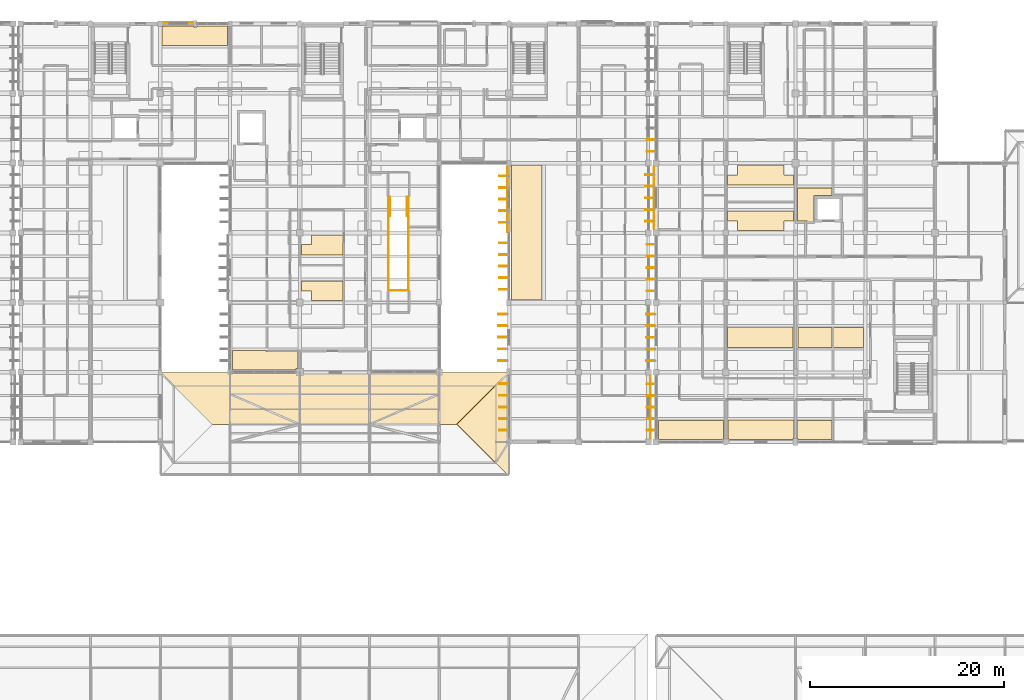
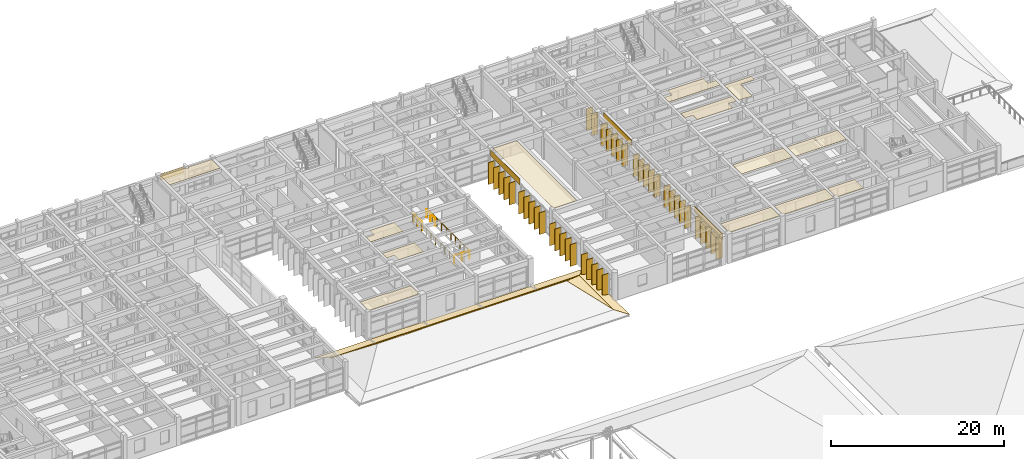
# One storey, part 95 of 100: 42 shading devices, 22 coverings, 5 railings.
"""IFC4 building model written with IfcOpenShell, lengths in metres."""

from ifc_helpers import new_model, si_unit, direction, frame, origin, origin_2d, place, context, subcontext, project, spatial, polyline, rectangle, circle, outline, extrude, material, layer, layer_set, material_profile, profile_set, type_object, element, save


model = new_model("IFC4")

# Units and contexts
model_context = context("Model", 3, precision=1e-05, world=origin(), true_north=direction((0.0, 1.0)))
body_context = subcontext(model_context, "Body", "Model", "MODEL_VIEW")
ifc_project = project(units=[si_unit("LENGTHUNIT", "METRE"), si_unit("AREAUNIT", "SQUARE_METRE"), si_unit("VOLUMEUNIT", "CUBIC_METRE"), si_unit("PLANEANGLEUNIT", "RADIAN"), si_unit("MASSUNIT", "GRAM", prefix="KILO")], contexts=[model_context])

# Site, building, storey
site_placement = place(None, origin())
site = spatial("IfcSite", under=ifc_project, at=site_placement, CompositionType="ELEMENT")
building_placement = place(site_placement, origin())
building = spatial("IfcBuilding", under=site, at=building_placement, Name="Steenspoor Specialist Clinic", CompositionType="ELEMENT")
storey_placement = place(building_placement, frame((0.0, 0.0, 9.0)))
storey = spatial("IfcBuildingStorey", under=building, at=storey_placement, Name="L02", CompositionType="ELEMENT", Elevation=9.0)

# Coverings
ifc_material_1 = material(Name="Washable acoustic mineral ceiling board", Category="gypsum")
ifc_layer_1 = layer(ifc_material_1, 0.02490234375)
ifc_layer_set_1 = layer_set([ifc_layer_1], Name="Washable acoustic mineral ceiling board")
covering_type_1 = type_object("IfcCoveringType", Name="COV-CEIL-ACOUSTIC", PredefinedType="CEILING", material=ifc_layer_set_1)
covering_1_placement = place(storey_placement, frame((0.0, 0.0, 3.925048828125)))
element("IfcCovering", 1, at=covering_1_placement, inside=storey, type_object=covering_type_1, Name="Acoustic Clinical Ceiling 137", PredefinedType="CEILING", context=body_context, shape_type="SweptSolid", body=[
    extrude(outline(polyline([(103.06005859375, 93.7548828125), (106.205078125, 93.7548828125), (106.205078125, 79.794921875), (103.06005859375, 79.794921875), (103.06005859375, 93.7548828125)])), origin(), (0.0, 0.0, 1.0), 0.02490234375),
])
covering_2_placement = place(storey_placement, frame((0.0, 0.0, 3.925048828125)))
element("IfcCovering", 2, at=covering_2_placement, inside=storey, type_object=covering_type_1, Name="Acoustic Clinical Ceiling 139", PredefinedType="CEILING", context=body_context, shape_type="SweptSolid", body=[
    extrude(outline(polyline([(74.260009765625, 74.60009765625), (77.735107421875, 74.60009765625), (77.735107421875, 74.485107421875), (81.0048828125, 74.485107421875), (81.0048828125, 72.739990234375), (80.81005859375, 72.739990234375), (80.81005859375, 72.610107421875), (74.264892578125, 72.610107421875), (74.264892578125, 72.614990234375), (74.260009765625, 72.614990234375), (74.260009765625, 74.60009765625)])), origin(), (0.0, 0.0, 1.0), 0.02490234375),
])
covering_3_placement = place(storey_placement, frame((0.0, 0.0, 3.925048828125)))
element("IfcCovering", 3, at=covering_3_placement, inside=storey, type_object=covering_type_1, Name="Acoustic Clinical Ceiling 140", PredefinedType="CEILING", context=body_context, shape_type="SweptSolid", body=[
    extrude(outline(polyline([(85.68505859375, 79.7451171875), (82.419921875, 79.7451171875), (82.419921875, 80.77001953125), (81.3701171875, 80.77001953125), (81.3701171875, 81.800048828125), (85.68505859375, 81.800048828125), (85.68505859375, 79.7451171875)])), origin(), (0.0, 0.0, 1.0), 0.02490234375),
])
covering_4_placement = place(storey_placement, frame((0.0, 0.0, 3.925048828125)))
element("IfcCovering", 4, at=covering_4_placement, inside=storey, type_object=covering_type_1, Name="Acoustic Clinical Ceiling 141", PredefinedType="CEILING", context=body_context, shape_type="SweptSolid", body=[
    extrude(outline(polyline([(85.68505859375, 84.489990234375), (81.3701171875, 84.489990234375), (81.3701171875, 85.530029296875), (82.419921875, 85.530029296875), (82.419921875, 86.530029296875), (85.68505859375, 86.530029296875), (85.68505859375, 84.489990234375)])), origin(), (0.0, 0.0, 1.0), 0.02490234375),
])
covering_5_placement = place(storey_placement, frame((0.0, 0.0, 3.925048828125)))
element("IfcCovering", 5, at=covering_5_placement, inside=storey, type_object=covering_type_1, Name="Acoustic Clinical Ceiling 142", PredefinedType="CEILING", context=body_context, shape_type="SweptSolid", body=[
    extrude(outline(polyline([(70.215087890625, 108.090087890625), (70.215087890625, 107.9951171875), (70.5849609375, 107.9951171875), (70.5849609375, 108.090087890625), (73.760009765625, 108.090087890625), (73.760009765625, 108.054931640625), (73.7548828125, 108.054931640625), (73.7548828125, 106.10009765625), (66.9951171875, 106.10009765625), (66.9951171875, 108.034912109375), (67.114990234375, 108.034912109375), (67.114990234375, 108.090087890625), (70.215087890625, 108.090087890625)])), origin(), (0.0, 0.0, 1.0), 0.02490234375),
])
covering_6_placement = place(storey_placement, frame((0.0, 0.0, 3.925048828125)))
element("IfcCovering", 6, at=covering_6_placement, inside=storey, type_object=covering_type_1, Name="Acoustic Clinical Ceiling 154", PredefinedType="CEILING", context=body_context, shape_type="SweptSolid", body=[
    extrude(outline(polyline([(118.260009765625, 67.39990234375), (124.97998046875, 67.39990234375), (124.97998046875, 65.489990234375), (124.860107421875, 65.489990234375), (124.860107421875, 65.409912109375), (118.31494140625, 65.409912109375), (118.31494140625, 65.465087890625), (118.260009765625, 65.465087890625), (118.260009765625, 67.39990234375)])), origin(), (0.0, 0.0, 1.0), 0.02490234375),
])
covering_7_placement = place(storey_placement, frame((0.0, 0.0, 3.925048828125)))
element("IfcCovering", 7, at=covering_7_placement, inside=storey, type_object=covering_type_1, Name="Acoustic Clinical Ceiling 155", PredefinedType="CEILING", context=body_context, shape_type="SweptSolid", body=[
    extrude(outline(polyline([(125.5400390625, 65.409912109375), (125.5400390625, 65.489990234375), (125.419921875, 65.489990234375), (125.419921875, 67.409912109375), (132.22998046875, 67.409912109375), (132.22998046875, 65.514892578125), (132.135009765625, 65.514892578125), (132.135009765625, 65.409912109375), (125.5400390625, 65.409912109375)])), origin(), (0.0, 0.0, 1.0), 0.02490234375),
])
covering_8_placement = place(storey_placement, frame((0.0, 0.0, 3.925048828125)))
element("IfcCovering", 8, at=covering_8_placement, inside=storey, type_object=covering_type_1, Name="Acoustic Clinical Ceiling 156", PredefinedType="CEILING", context=body_context, shape_type="SweptSolid", body=[
    extrude(outline(polyline([(136.18505859375, 65.409912109375), (132.6650390625, 65.409912109375), (132.6650390625, 65.514892578125), (132.570068359375, 65.514892578125), (132.570068359375, 67.39990234375), (136.18505859375, 67.39990234375), (136.18505859375, 65.409912109375)])), origin(), (0.0, 0.0, 1.0), 0.02490234375),
])
covering_9_placement = place(storey_placement, frame((0.0, 0.0, 3.925048828125)))
element("IfcCovering", 9, at=covering_9_placement, inside=storey, type_object=covering_type_1, Name="Acoustic Clinical Ceiling 157", PredefinedType="CEILING", context=body_context, shape_type="SweptSolid", body=[
    extrude(outline(polyline([(125.39501953125, 77.010009765625), (132.155029296875, 77.010009765625), (132.155029296875, 74.89990234375), (125.39501953125, 74.89990234375), (125.39501953125, 77.010009765625)])), origin(), (0.0, 0.0, 1.0), 0.02490234375),
])
covering_10_placement = place(storey_placement, frame((0.0, 0.0, 3.925048828125)))
element("IfcCovering", 10, at=covering_10_placement, inside=storey, type_object=covering_type_1, Name="Acoustic Clinical Ceiling 158", PredefinedType="CEILING", context=body_context, shape_type="SweptSolid", body=[
    extrude(outline(polyline([(136.18505859375, 74.889892578125), (132.64501953125, 74.889892578125), (132.64501953125, 77.0), (136.18505859375, 77.0), (136.18505859375, 74.889892578125)])), origin(), (0.0, 0.0, 1.0), 0.02490234375),
])
covering_11_placement = place(storey_placement, frame((0.0, 0.0, 3.925048828125)))
element("IfcCovering", 11, at=covering_11_placement, inside=storey, type_object=covering_type_1, Name="Acoustic Clinical Ceiling 159", PredefinedType="CEILING", context=body_context, shape_type="SweptSolid", body=[
    extrude(outline(polyline([(136.31494140625, 77.0), (139.405029296875, 77.0), (139.405029296875, 74.889892578125), (136.31494140625, 74.889892578125), (136.31494140625, 77.0)])), origin(), (0.0, 0.0, 1.0), 0.02490234375),
])
covering_12_placement = place(storey_placement, frame((0.0, 0.0, 3.925048828125)))
element("IfcCovering", 12, at=covering_12_placement, inside=storey, type_object=covering_type_1, Name="Acoustic Clinical Ceiling 160", PredefinedType="CEILING", context=body_context, shape_type="SweptSolid", body=[
    extrude(outline(polyline([(132.205078125, 87.969970703125), (131.179931640625, 87.969970703125), (131.179931640625, 86.969970703125), (126.419921875, 86.969970703125), (126.419921875, 87.969970703125), (125.3701171875, 87.969970703125), (125.3701171875, 89.0), (132.205078125, 89.0), (132.205078125, 87.969970703125)])), origin(), (0.0, 0.0, 1.0), 0.02490234375),
])
covering_13_placement = place(storey_placement, frame((0.0, 0.0, 3.925048828125)))
element("IfcCovering", 13, at=covering_13_placement, inside=storey, type_object=covering_type_1, Name="Acoustic Clinical Ceiling 162", PredefinedType="CEILING", context=body_context, shape_type="SweptSolid", body=[
    extrude(outline(polyline([(134.31005859375, 90.614990234375), (134.31005859375, 87.9150390625), (133.6201171875, 87.9150390625), (133.6201171875, 87.969970703125), (132.594970703125, 87.969970703125), (132.594970703125, 91.39990234375), (136.18505859375, 91.39990234375), (136.18505859375, 90.614990234375), (134.31005859375, 90.614990234375)])), origin(), (0.0, 0.0, 1.0), 0.02490234375),
])
covering_14_placement = place(storey_placement, frame((0.0, 0.0, 3.925048828125)))
element("IfcCovering", 14, at=covering_14_placement, inside=storey, type_object=covering_type_1, Name="Acoustic Clinical Ceiling 163", PredefinedType="CEILING", context=body_context, shape_type="SweptSolid", body=[
    extrude(outline(polyline([(126.419921875, 93.780029296875), (131.179931640625, 93.780029296875), (131.179931640625, 92.72998046875), (132.205078125, 92.72998046875), (132.205078125, 91.68994140625), (125.3701171875, 91.68994140625), (125.3701171875, 92.72998046875), (126.419921875, 92.72998046875), (126.419921875, 93.780029296875)])), origin(), (0.0, 0.0, 1.0), 0.02490234375),
])
ifc_material_2 = material(Name="Glazed ceramic relief spandrel cladding", Category="masonry")
ifc_layer_2 = layer(ifc_material_2, 0.034912109375)
ifc_layer_set_2 = layer_set([ifc_layer_2], Name="Glazed ceramic relief spandrel cladding")
covering_type_2 = type_object("IfcCoveringType", Name="COV-CLAD-CERAMIC", PredefinedType="CLADDING", material=ifc_layer_set_2)
covering_15_placement = place(storey_placement, frame((68.6650390625, 108.489990234375, 3.11474609375), z_axis=(0.0, 0.0, 1.0), x_axis=(1.0, 0.0, 0.0)))
element("IfcCovering", 15, at=covering_15_placement, inside=storey, type_object=covering_type_2, Name="Spandrel Cladding 41", PredefinedType="CLADDING", context=body_context, shape_type="SweptSolid", body=[
    extrude(rectangle(XDim=3.010009765625, YDim=0.0400390625, at=origin_2d()), origin(), (0.0, 0.0, 1.0), 0.840087890625),
])
covering_16_placement = place(storey_placement, frame((117.429931640625, 68.75, 3.11474609375), z_axis=(0.0, 0.0, 1.0), x_axis=(0.0, -1.0, 0.0)))
element("IfcCovering", 16, at=covering_16_placement, inside=storey, type_object=covering_type_2, Name="Spandrel Cladding 44", PredefinedType="CLADDING", context=body_context, shape_type="SweptSolid", body=[
    extrude(rectangle(XDim=6.47998046875, YDim=0.0400390625, at=origin_2d()), origin(), (0.0, 0.0, 1.0), 0.840087890625),
])
covering_17_placement = place(storey_placement, frame((102.659912109375, 90.21875, 3.11474609375), z_axis=(0.0, 0.0, 1.0), x_axis=(0.0, 1.0, 0.0)))
element("IfcCovering", 17, at=covering_17_placement, inside=storey, type_object=covering_type_2, Name="Spandrel Cladding 45", PredefinedType="CLADDING", context=body_context, shape_type="SweptSolid", body=[
    extrude(rectangle(XDim=6.79248046875, YDim=0.0400390625, at=origin_2d()), origin(), (0.0, 0.0, 1.0), 0.840087890625),
])
covering_18_placement = place(storey_placement, frame((117.77001953125, 90.35009765625, 3.11474609375), z_axis=(0.0, 0.0, 1.0), x_axis=(0.0, 1.0, 0.0)))
element("IfcCovering", 18, at=covering_18_placement, inside=storey, type_object=covering_type_2, Name="Spandrel Cladding 90", PredefinedType="CLADDING", context=body_context, shape_type="SweptSolid", body=[
    extrude(rectangle(XDim=6.47998046875, YDim=0.0400390625, at=origin_2d()), origin(), (0.0, 0.0, 1.0), 0.840087890625),
])
ifc_material_3 = material(Name="Extruded terracotta clay roof tile", Category="masonry")
ifc_layer_3 = layer(ifc_material_3, 0.044921875)
ifc_layer_set_3 = layer_set([ifc_layer_3], Name="Extruded terracotta clay roof tile")
covering_type_3 = type_object("IfcCoveringType", Name="COV-ROOF-TILE", PredefinedType="ROOFING", material=ifc_layer_set_3)
covering_19_placement = place(storey_placement, frame((102.77001953125, 72.320068359375, 0.048095703125), z_axis=(0.0, 0.241792402976, 0.970328003235), x_axis=(-1.0, 0.0, 0.0)))
element("IfcCovering", 19, at=covering_19_placement, inside=storey, type_object=covering_type_3, Name="Clay Tile Roofing V4T1 SKN", PredefinedType="ROOFING", context=body_context, shape_type="SweptSolid", body=[
    extrude(outline(polyline([(0.0, 0.0), (35.93994140625, 0.0), (34.590087890625, 1.3913827610335756), (1.35009765625, 1.3913827610335756), (0.0, 0.0)])), origin(), (0.0, 0.0, -1.0), 0.044921875),
])
covering_20_placement = place(storey_placement, frame((102.77001953125, 61.64990234375, 0.048095703125), z_axis=(0.241792402976, 0.0, 0.970328003235), x_axis=(0.0, 1.0, 0.0)))
element("IfcCovering", 20, at=covering_20_placement, inside=storey, type_object=covering_type_3, Name="Clay Tile Roofing V4T1 SKE", PredefinedType="ROOFING", context=body_context, shape_type="SweptSolid", body=[
    extrude(outline(polyline([(0.0, 0.0), (10.670166015625, 0.0), (9.320068359375, 1.3913827610335758), (1.35009765625, 1.3913827610335758), (0.0, 0.0)])), origin(), (0.0, 0.0, -1.0), 0.044921875),
])
covering_21_placement = place(storey_placement, frame((101.419921875, 70.969970703125, 0.384521484375), z_axis=(0.0, 0.609485389565, 0.792797300643), x_axis=(-1.0, 0.0, 0.0)))
element("IfcCovering", 21, at=covering_21_placement, inside=storey, type_object=covering_type_3, Name="Clay Tile Roofing V4T1 N", PredefinedType="ROOFING", context=body_context, shape_type="SweptSolid", body=[
    extrude(outline(polyline([(0.0, 0.0), (33.239990234375, 0.0), (29.2548828125, 5.026333058924899), (3.98486328125, 5.026333058924899), (0.0, 0.0)])), origin(), (0.0, 0.0, -1.0), 0.044921875),
])
covering_22_placement = place(storey_placement, frame((101.419921875, 63.0, 0.384521484375), z_axis=(0.609485389565, 0.0, 0.792797300643), x_axis=(0.0, 1.0, 0.0)))
element("IfcCovering", 22, at=covering_22_placement, inside=storey, type_object=covering_type_3, Name="Clay Tile Roofing V4T1 E", PredefinedType="ROOFING", context=body_context, shape_type="SweptSolid", body=[
    extrude(outline(polyline([(0.0, 0.0), (7.969970703125, 0.0), (3.985107421875, 5.026333058924899), (0.0, 0.0)])), origin(), (0.0, 0.0, -1.0), 0.044921875),
])

# Railings
ifc_material_4 = material(Name="Painted architectural steel balustrade", Category="steel")
railing_type = type_object("IfcRailingType", Name="RAIL-GUARD-1100", PredefinedType="GUARDRAIL", material=ifc_material_4)
railing_1_placement = place(storey_placement, frame((90.3798828125, 90.4599609375, 0.0)))
element("IfcRailing", 23, at=railing_1_placement, inside=storey, type_object=railing_type, Name="ST-F03 Well Guard W", PredefinedType="GUARDRAIL", context=body_context, shape_type="SweptSolid", body=[
    extrude(circle(Radius=0.02392578125, at=origin_2d()), frame((0.0, 0.0, 1.09619140625), z_axis=(0.0, -1.0, 0.0), x_axis=(1.0, 0.0, 0.0)), (0.0, 0.0, 1.0), 9.679931640625),
    extrude(circle(Radius=0.02099609375, at=origin_2d()), origin(), (0.0, 0.0, 1.0), 1.072021484375),
    extrude(circle(Radius=0.02099609375, at=origin_2d()), frame((0.0, -1.075439453125, 0.0)), (0.0, 0.0, 1.0), 1.072021484375),
    extrude(circle(Radius=0.02099609375, at=origin_2d()), frame((0.0, -2.151123046875, 0.0)), (0.0, 0.0, 1.0), 1.072021484375),
    extrude(circle(Radius=0.02099609375, at=origin_2d()), frame((0.0, -3.2265625, 0.0)), (0.0, 0.0, 1.0), 1.072021484375),
    extrude(circle(Radius=0.02099609375, at=origin_2d()), frame((0.0, -4.30224609375, 0.0)), (0.0, 0.0, 1.0), 1.072021484375),
    extrude(circle(Radius=0.02099609375, at=origin_2d()), frame((0.0, -5.377685546875, 0.0)), (0.0, 0.0, 1.0), 1.072021484375),
    extrude(circle(Radius=0.02099609375, at=origin_2d()), frame((0.0, -6.453369140625, 0.0)), (0.0, 0.0, 1.0), 1.072021484375),
    extrude(circle(Radius=0.02099609375, at=origin_2d()), frame((0.0, -7.52880859375, 0.0)), (0.0, 0.0, 1.0), 1.072021484375),
    extrude(circle(Radius=0.02099609375, at=origin_2d()), frame((0.0, -8.6044921875, 0.0)), (0.0, 0.0, 1.0), 1.072021484375),
    extrude(circle(Radius=0.02099609375, at=origin_2d()), frame((0.0, -9.679931640625, 0.0)), (0.0, 0.0, 1.0), 1.072021484375),
])
railing_2_placement = place(storey_placement, frame((90.3798828125, 80.780029296875, 0.0)))
element("IfcRailing", 24, at=railing_2_placement, inside=storey, type_object=railing_type, Name="ST-F03 Well Guard S", PredefinedType="GUARDRAIL", context=body_context, shape_type="SweptSolid", body=[
    extrude(circle(Radius=0.02392578125, at=origin_2d()), frame((0.0, 0.0, 1.09619140625), z_axis=(1.0, 0.0, 0.0), x_axis=(0.0, 1.0, 0.0)), (0.0, 0.0, 1.0), 2.0400390625),
    extrude(circle(Radius=0.02099609375, at=origin_2d()), origin(), (0.0, 0.0, 1.0), 1.072021484375),
    extrude(circle(Radius=0.02099609375, at=origin_2d()), frame((1.02001953125, 0.0, 0.0)), (0.0, 0.0, 1.0), 1.072021484375),
    extrude(circle(Radius=0.02099609375, at=origin_2d()), frame((2.0400390625, 0.0, 0.0)), (0.0, 0.0, 1.0), 1.072021484375),
])
railing_3_placement = place(storey_placement, frame((92.419921875, 80.780029296875, 0.0)))
element("IfcRailing", 25, at=railing_3_placement, inside=storey, type_object=railing_type, Name="ST-F03 Well Guard E", PredefinedType="GUARDRAIL", context=body_context, shape_type="SweptSolid", body=[
    extrude(circle(Radius=0.02392578125, at=origin_2d()), frame((0.0, 0.0, 1.09619140625), z_axis=(0.0, 1.0, 0.0), x_axis=(-1.0, 0.0, 0.0)), (0.0, 0.0, 1.0), 9.679931640625),
    extrude(circle(Radius=0.02099609375, at=origin_2d()), origin(), (0.0, 0.0, 1.0), 1.072021484375),
    extrude(circle(Radius=0.02099609375, at=origin_2d()), frame((0.0, 1.075439453125, 0.0)), (0.0, 0.0, 1.0), 1.072021484375),
    extrude(circle(Radius=0.02099609375, at=origin_2d()), frame((0.0, 2.151123046875, 0.0)), (0.0, 0.0, 1.0), 1.072021484375),
    extrude(circle(Radius=0.02099609375, at=origin_2d()), frame((0.0, 3.2265625, 0.0)), (0.0, 0.0, 1.0), 1.072021484375),
    extrude(circle(Radius=0.02099609375, at=origin_2d()), frame((0.0, 4.30224609375, 0.0)), (0.0, 0.0, 1.0), 1.072021484375),
    extrude(circle(Radius=0.02099609375, at=origin_2d()), frame((0.0, 5.377685546875, 0.0)), (0.0, 0.0, 1.0), 1.072021484375),
    extrude(circle(Radius=0.02099609375, at=origin_2d()), frame((0.0, 6.453369140625, 0.0)), (0.0, 0.0, 1.0), 1.072021484375),
    extrude(circle(Radius=0.02099609375, at=origin_2d()), frame((0.0, 7.52880859375, 0.0)), (0.0, 0.0, 1.0), 1.072021484375),
    extrude(circle(Radius=0.02099609375, at=origin_2d()), frame((0.0, 8.6044921875, 0.0)), (0.0, 0.0, 1.0), 1.072021484375),
    extrude(circle(Radius=0.02099609375, at=origin_2d()), frame((0.0, 9.679931640625, 0.0)), (0.0, 0.0, 1.0), 1.072021484375),
])
for number, where, name in (
    (26, (90.5400390625, 88.5, 0.0), "ST-F03 Well Guard LW"),
    (27, (92.260009765625, 88.5, 0.0), "ST-F03 Well Guard LE"),
):
    element("IfcRailing", number, at=place(storey_placement, frame(where)), inside=storey, type_object=railing_type, Name=name, PredefinedType="GUARDRAIL", context=body_context, shape_type="SweptSolid", body=[
        extrude(circle(Radius=0.02392578125, at=origin_2d()), frame((0.0, 0.0, 1.09619140625), z_axis=(0.0, 1.0, 0.0), x_axis=(-1.0, 0.0, 0.0)), (0.0, 0.0, 1.0), 1.9599609375),
        extrude(circle(Radius=0.02099609375, at=origin_2d()), origin(), (0.0, 0.0, 1.0), 1.072021484375),
        extrude(circle(Radius=0.02099609375, at=origin_2d()), frame((0.0, 0.97998046875, 0.0)), (0.0, 0.0, 1.0), 1.072021484375),
        extrude(circle(Radius=0.02099609375, at=origin_2d()), frame((0.0, 1.9599609375, 0.0)), (0.0, 0.0, 1.0), 1.072021484375),
    ])

# Shading devices
ifc_material_5 = material(Name="Glulam GL28h", Category="wood")
ifc_material_profile = material_profile(ifc_material_5, rectangle(XDim=0.090087890625, YDim=0.85009765625, at=origin_2d()), Name="GL28H-90X850")
ifc_profile_set = profile_set([ifc_material_profile], Name="Glulam GL28h")
shading_device_type = type_object("IfcShadingDeviceType", Name="SHADE-FIN-850", PredefinedType="JALOUSIE", material=ifc_profile_set)
for number, where, z_axis, x_axis, name in (
    (28, (102.2451171875, 66.362548828125, 0.0), (0.0, 0.0, 1.0), (0.0, 1.0, 0.0), "Glulam Sun Fin FIN-V4-L02-0026"),
    (29, (102.2451171875, 67.5625, 0.0), (0.0, 0.0, 1.0), (0.0, 1.0, 0.0), "Glulam Sun Fin FIN-V4-L02-0027"),
    (30, (102.2451171875, 68.762451171875, 0.0), (0.0, 0.0, 1.0), (0.0, 1.0, 0.0), "Glulam Sun Fin FIN-V4-L02-0028"),
    (31, (102.2451171875, 69.96240234375, 0.0), (0.0, 0.0, 1.0), (0.0, 1.0, 0.0), "Glulam Sun Fin FIN-V4-L02-0029"),
    (32, (102.2451171875, 71.16259765625, 0.0), (0.0, 0.0, 1.0), (0.0, 1.0, 0.0), "Glulam Sun Fin FIN-V4-L02-0030"),
    (33, (102.14501953125, 73.5625, 0.0), (0.0, 0.0, 1.0), (0.0, 1.0, 0.0), "Glulam Sun Fin FIN-V4-L02-0031"),
    (34, (102.14501953125, 74.762451171875, 0.0), (0.0, 0.0, 1.0), (0.0, 1.0, 0.0), "Glulam Sun Fin FIN-V4-L02-0032"),
    (35, (102.14501953125, 75.96240234375, 0.0), (0.0, 0.0, 1.0), (0.0, 1.0, 0.0), "Glulam Sun Fin FIN-V4-L02-0033"),
    (36, (102.14501953125, 77.16259765625, 0.0), (0.0, 0.0, 1.0), (0.0, 1.0, 0.0), "Glulam Sun Fin FIN-V4-L02-0034"),
    (37, (102.14501953125, 78.362548828125, 0.0), (0.0, 0.0, 1.0), (0.0, 1.0, 0.0), "Glulam Sun Fin FIN-V4-L02-0035"),
    (38, (102.2451171875, 80.90625, 0.0), (0.0, 0.0, 1.0), (0.0, 1.0, 0.0), "Glulam Sun Fin FIN-V4-L02-0036"),
    (39, (102.2451171875, 82.106201171875, 0.0), (0.0, 0.0, 1.0), (0.0, 1.0, 0.0), "Glulam Sun Fin FIN-V4-L02-0037"),
    (40, (102.2451171875, 83.30615234375, 0.0), (0.0, 0.0, 1.0), (0.0, 1.0, 0.0), "Glulam Sun Fin FIN-V4-L02-0038"),
    (41, (102.2451171875, 84.506103515625, 0.0), (0.0, 0.0, 1.0), (0.0, 1.0, 0.0), "Glulam Sun Fin FIN-V4-L02-0039"),
    (42, (102.2451171875, 85.706298828125, 0.0), (0.0, 0.0, 1.0), (0.0, 1.0, 0.0), "Glulam Sun Fin FIN-V4-L02-0040"),
    (43, (102.205078125, 87.81884765625, 0.0), (0.0, 0.0, 1.0), (0.0, 1.0, 0.0), "Glulam Sun Fin FIN-V4-L02-0041"),
    (44, (102.205078125, 89.018798828125, 0.0), (0.0, 0.0, 1.0), (0.0, 1.0, 0.0), "Glulam Sun Fin FIN-V4-L02-0042"),
    (45, (102.205078125, 90.21875, 0.0), (0.0, 0.0, 1.0), (0.0, 1.0, 0.0), "Glulam Sun Fin FIN-V4-L02-0043"),
    (46, (102.205078125, 91.418701171875, 0.0), (0.0, 0.0, 1.0), (0.0, 1.0, 0.0), "Glulam Sun Fin FIN-V4-L02-0044"),
    (47, (102.205078125, 92.618896484375, 0.0), (0.0, 0.0, 1.0), (0.0, 1.0, 0.0), "Glulam Sun Fin FIN-V4-L02-0045"),
    (48, (117.445068359375, 66.35009765625, 0.0), (0.0, 0.0, 1.0), (0.0, 1.0, 0.0), "Glulam Sun Fin FIN-V6-L02-0150"),
    (49, (117.445068359375, 67.550048828125, 0.0), (0.0, 0.0, 1.0), (0.0, 1.0, 0.0), "Glulam Sun Fin FIN-V6-L02-0151"),
    (50, (117.445068359375, 68.75, 0.0), (0.0, 0.0, 1.0), (0.0, 1.0, 0.0), "Glulam Sun Fin FIN-V6-L02-0152"),
    (51, (117.445068359375, 69.949951171875, 0.0), (0.0, 0.0, 1.0), (0.0, 1.0, 0.0), "Glulam Sun Fin FIN-V6-L02-0153"),
    (52, (117.445068359375, 71.14990234375, 0.0), (0.0, 0.0, 1.0), (0.0, 1.0, 0.0), "Glulam Sun Fin FIN-V6-L02-0154"),
    (53, (117.405029296875, 73.550048828125, 0.0), (0.0, 0.0, 1.0), (0.0, 1.0, 0.0), "Glulam Sun Fin FIN-V6-L02-0155"),
    (54, (117.405029296875, 74.75, 0.0), (0.0, 0.0, 1.0), (0.0, 1.0, 0.0), "Glulam Sun Fin FIN-V6-L02-0156"),
    (55, (117.405029296875, 75.949951171875, 0.0), (0.0, 0.0, 1.0), (0.0, 1.0, 0.0), "Glulam Sun Fin FIN-V6-L02-0157"),
    (56, (117.405029296875, 77.14990234375, 0.0), (0.0, 0.0, 1.0), (0.0, 1.0, 0.0), "Glulam Sun Fin FIN-V6-L02-0158"),
    (57, (117.405029296875, 78.35009765625, 0.0), (0.0, 0.0, 1.0), (0.0, 1.0, 0.0), "Glulam Sun Fin FIN-V6-L02-0159"),
    (58, (117.445068359375, 80.75, 0.0), (0.0, 0.0, 1.0), (0.0, 1.0, 0.0), "Glulam Sun Fin FIN-V6-L02-0160"),
    (59, (117.445068359375, 81.949951171875, 0.0), (0.0, 0.0, 1.0), (0.0, 1.0, 0.0), "Glulam Sun Fin FIN-V6-L02-0161"),
    (60, (117.445068359375, 83.14990234375, 0.0), (0.0, 0.0, 1.0), (0.0, 1.0, 0.0), "Glulam Sun Fin FIN-V6-L02-0162"),
    (61, (117.445068359375, 84.35009765625, 0.0), (0.0, 0.0, 1.0), (0.0, 1.0, 0.0), "Glulam Sun Fin FIN-V6-L02-0163"),
    (62, (117.445068359375, 85.550048828125, 0.0), (0.0, 0.0, 1.0), (0.0, 1.0, 0.0), "Glulam Sun Fin FIN-V6-L02-0164"),
    (63, (117.31494140625, 87.949951171875, 0.0), (0.0, 0.0, 1.0), (0.0, 1.0, 0.0), "Glulam Sun Fin FIN-V6-L02-0165"),
    (64, (117.31494140625, 89.14990234375, 0.0), (0.0, 0.0, 1.0), (0.0, 1.0, 0.0), "Glulam Sun Fin FIN-V6-L02-0166"),
    (65, (117.31494140625, 90.35009765625, 0.0), (0.0, 0.0, 1.0), (0.0, 1.0, 0.0), "Glulam Sun Fin FIN-V6-L02-0167"),
    (66, (117.31494140625, 91.550048828125, 0.0), (0.0, 0.0, 1.0), (0.0, 1.0, 0.0), "Glulam Sun Fin FIN-V6-L02-0168"),
    (67, (117.31494140625, 92.75, 0.0), (0.0, 0.0, 1.0), (0.0, 1.0, 0.0), "Glulam Sun Fin FIN-V6-L02-0169"),
    (68, (117.445068359375, 95.14990234375, 0.0), (0.0, 0.0, 1.0), (0.0, 1.0, 0.0), "Glulam Sun Fin FIN-V6-L02-0170"),
    (69, (117.445068359375, 96.35009765625, 0.0), (0.0, 0.0, 1.0), (0.0, 1.0, 0.0), "Glulam Sun Fin FIN-V6-L02-0171"),
):
    element("IfcShadingDevice", number, at=place(storey_placement, frame(where, z_axis=z_axis, x_axis=x_axis)), inside=storey, type_object=shading_device_type, Name=name, PredefinedType="JALOUSIE", context=body_context, shape_type="SweptSolid", body=[
        extrude(rectangle(XDim=0.090087890625, YDim=0.85009765625, at=origin_2d()), origin(), (0.0, 0.0, 1.0), 3.080078125),
    ])

save(model, "model.ifc")
